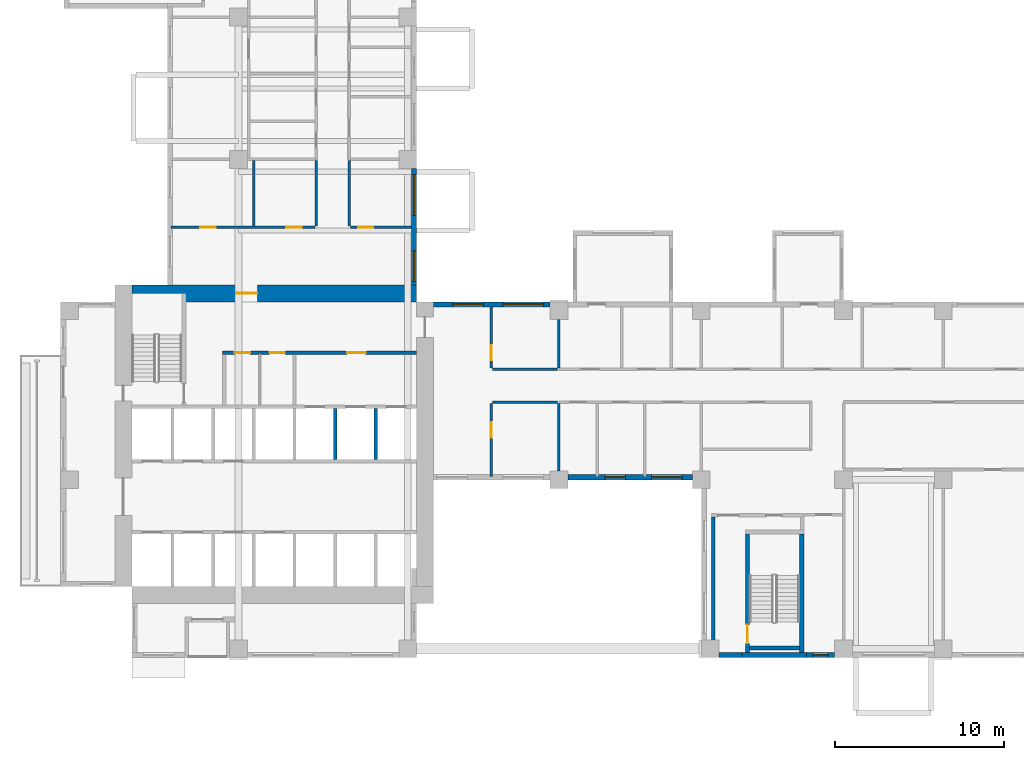
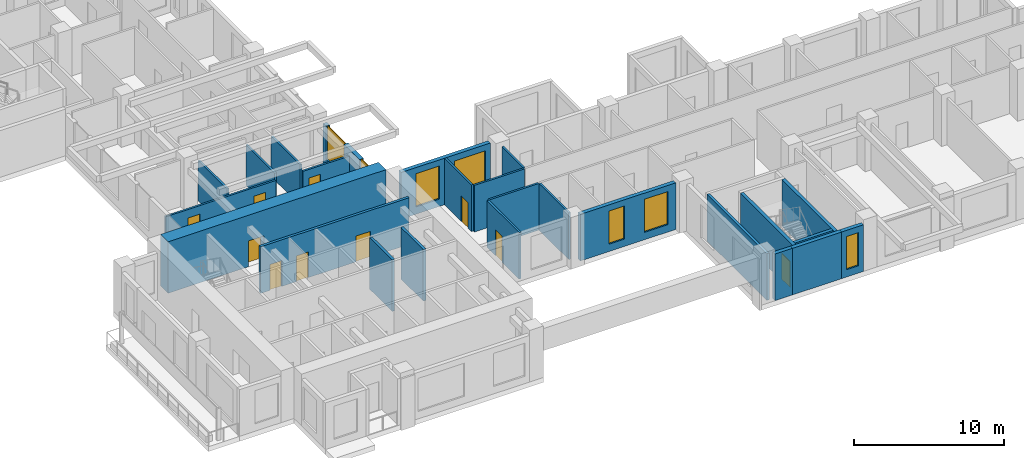
# One storey, part 3 of 14: 25 walls, 10 doors, 7 windows, 17 openings.
"""IFC4 building model written with IfcOpenShell, lengths in metres."""

import ifcopenshell
import ifcopenshell.guid

model = None  # the IFC model being written
_history = None  # IfcOwnerHistory: only IFC2X3 demands one
_inside = {}  # id of a spatial element -> (the spatial element, [elements in it])
_under = {}  # id of a project, library or spatial element -> (it, [spatial elements below it])
_declared = {}  # id of a project -> (the project, [libraries it declares])
_typed = {}  # id of a type object -> (the type object, [elements of that type])
_made_of = {}  # id of a material, layer set ... -> (it, [elements and type objects made of it])


def new_model(schema):
    """Start an empty IFC model of exactly this schema.

    Asked for "IFC4X3", IfcOpenShell would pick the latest addendum, in which some entities
    have other attributes; the version numbers below select the first issue.
    IFC2X3 requires an IfcOwnerHistory on every rooted entity: one is made here for all.
    """
    global model, _history
    if schema == "IFC4X3":
        model = ifcopenshell.file(schema_version=(4, 3, 0, 0))
    else:
        model = ifcopenshell.file(schema=schema)
    _inside.clear()
    _under.clear()
    _declared.clear()
    _typed.clear()
    _made_of.clear()
    _history = None
    if model.schema == "IFC2X3":
        org = make("IfcOrganization", Name="unknown")
        user = make(
            "IfcPersonAndOrganization",
            ThePerson=make("IfcPerson", FamilyName="unknown"),
            TheOrganization=org,
        )
        app = make(
            "IfcApplication",
            ApplicationDeveloper=org,
            Version="unknown",
            ApplicationFullName="unknown",
            ApplicationIdentifier="unknown",
        )
        _history = make(
            "IfcOwnerHistory",
            OwningUser=user,
            OwningApplication=app,
            ChangeAction="ADDED",
            CreationDate=0,
        )
    return model


def make(cls, **values):
    """One entity of the class cls with the attributes given. An attribute that is None is left unset."""
    return model.create_entity(
        cls, **{name: value for name, value in values.items() if value is not None}
    )


def rooted(cls, **values):
    """An entity with a GlobalId (a new one), such as an element, a storey or a relation."""
    return make(cls, GlobalId=ifcopenshell.guid.new(), OwnerHistory=_history, **values)


def si_unit(unit_type, name, prefix=None):
    """IfcSIUnit, for example si_unit("LENGTHUNIT", "METRE", prefix="MILLI")."""
    return make("IfcSIUnit", UnitType=unit_type, Prefix=prefix, Name=name)


def assignment(units):
    """IfcUnitAssignment: the units of a project."""
    return None if units is None else make("IfcUnitAssignment", Units=units)


def point(xyz):
    """IfcCartesianPoint."""
    return None if xyz is None else make("IfcCartesianPoint", Coordinates=xyz)


def direction(xyz):
    """IfcDirection."""
    return None if xyz is None else make("IfcDirection", DirectionRatios=xyz)


def frame(location, z_axis=None, x_axis=None):
    """IfcAxis2Placement3D, a coordinate frame: its origin and axes. An axis left out is left unset."""
    return make(
        "IfcAxis2Placement3D",
        Location=point(location),
        Axis=direction(z_axis),
        RefDirection=direction(x_axis),
    )


def frame_2d(location, x_axis=None):
    """IfcAxis2Placement2D, a coordinate frame in the plane: its origin and x axis."""
    return make(
        "IfcAxis2Placement2D", Location=point(location), RefDirection=direction(x_axis)
    )


def origin():
    """The frame at (0, 0, 0) with its axes left unset."""
    return frame((0.0, 0.0, 0.0))


def place(relative_to, where):
    """IfcLocalPlacement: puts the frame where relative to a parent placement (None: the world)."""
    return make(
        "IfcLocalPlacement", PlacementRelTo=relative_to, RelativePlacement=where
    )


def context(
    kind, dimensions, precision=None, world=None, true_north=None, identifier=None
):
    """IfcGeometricRepresentationContext, for example the 3D "Model" context."""
    return make(
        "IfcGeometricRepresentationContext",
        ContextIdentifier=identifier,
        ContextType=kind,
        CoordinateSpaceDimension=dimensions,
        Precision=precision,
        WorldCoordinateSystem=world,
        TrueNorth=true_north,
    )


def subcontext(parent, identifier, kind, view, scale=None):
    """IfcGeometricRepresentationSubContext, for example "Body" below "Model"."""
    return make(
        "IfcGeometricRepresentationSubContext",
        ContextIdentifier=identifier,
        ContextType=kind,
        ParentContext=parent,
        TargetScale=scale,
        TargetView=view,
    )


def project(units=None, contexts=None):
    """IfcProject with its units and contexts."""
    return rooted(
        "IfcProject",
        Name="project",
        RepresentationContexts=contexts,
        UnitsInContext=assignment(units),
    )


def spatial(cls, under=None, at=None, **own):
    """A site, building, storey or space (cls), placed at a placement, below another one or the project."""
    s = rooted(cls, ObjectPlacement=at, **own)
    if under is not None:
        _under.setdefault(under.id(), (under, []))[1].append(s)
    return s


def profile(cls, at=None, kind="AREA", **sizes):
    """A parametric profile (cls). Its sizes go by their IFC names, for example OverallWidth=200.0."""
    return make(cls, ProfileType=kind, Position=at, **sizes)


def rectangle(**sizes):
    """IfcRectangleProfileDef."""
    return profile("IfcRectangleProfileDef", **sizes)


def extrude(swept, where, along, depth):
    """IfcExtrudedAreaSolid: the profile swept, set in the frame where, extruded along a direction by depth."""
    return make(
        "IfcExtrudedAreaSolid",
        SweptArea=swept,
        Position=where,
        ExtrudedDirection=direction(along),
        Depth=depth,
    )


def shape(context_of_items, identifier, shape_type, items):
    """IfcShapeRepresentation: the items that make up one representation, for example the "Body"."""
    return make(
        "IfcShapeRepresentation",
        ContextOfItems=context_of_items,
        RepresentationIdentifier=identifier,
        RepresentationType=shape_type,
        Items=items,
    )


def source(mapping_origin, context_of_items, identifier, shape_type, items):
    """IfcRepresentationMap: a shape defined once, which mapped items show again and again."""
    return make(
        "IfcRepresentationMap",
        MappingOrigin=mapping_origin,
        MappedRepresentation=shape(context_of_items, identifier, shape_type, items),
    )


def transform(
    local_origin,
    x_axis=None,
    y_axis=None,
    z_axis=None,
    scale=None,
    scale2=None,
    scale3=None,
    uniform=True,
):
    """IfcCartesianTransformationOperator3D, or its non-uniform kind. x_axis, y_axis, z_axis: its Axis1, 2, 3."""
    if uniform:
        return make(
            "IfcCartesianTransformationOperator3D",
            Axis1=direction(x_axis),
            Axis2=direction(y_axis),
            LocalOrigin=point(local_origin),
            Scale=scale,
            Axis3=direction(z_axis),
        )
    return make(
        "IfcCartesianTransformationOperator3DnonUniform",
        Axis1=direction(x_axis),
        Axis2=direction(y_axis),
        LocalOrigin=point(local_origin),
        Scale=scale,
        Axis3=direction(z_axis),
        Scale2=scale2,
        Scale3=scale3,
    )


def mapped(mapping_source, mapping_target):
    """IfcMappedItem: shows the shape of a source again, moved by a transform."""
    return make(
        "IfcMappedItem", MappingSource=mapping_source, MappingTarget=mapping_target
    )


def material(Name=None, Category=None):
    """IfcMaterial."""
    return make("IfcMaterial", Name=Name, Category=Category)


def layer(
    of_material, thickness, ventilated=None, Name=None, Category=None, Priority=None
):
    """IfcMaterialLayer: one layer of a wall or slab, of a material (None: an air gap)."""
    return make(
        "IfcMaterialLayer",
        Material=of_material,
        LayerThickness=thickness,
        IsVentilated=ventilated,
        Name=Name,
        Category=Category,
        Priority=Priority,
    )


def layer_set(layers, Name=None):
    """IfcMaterialLayerSet."""
    return make("IfcMaterialLayerSet", MaterialLayers=layers, LayerSetName=Name)


def made_of(thing, what):
    """Note that an element or type object is made of a material, layer set ...; save() writes the relation."""
    if what is not None:
        _made_of.setdefault(what.id(), (what, []))[1].append(thing)
    return thing


def type_object(cls, material=None, **own):
    """A type object (cls), such as IfcWallType, which elements share."""
    return made_of(rooted(cls, **own), material)


def element(
    cls,
    number,
    at=None,
    inside=None,
    cuts=None,
    type_object=None,
    material=None,
    context=None,
    identifier="Body",
    shape_type=None,
    held_by="IfcProductDefinitionShape",
    body=None,
    shapes=None,
    **own,
):
    """One element of the class cls, such as IfcWall. Its Tag is "e" and its number.

    at: its placement. inside: the storey or other place that contains it. cuts: it is an
    opening in that element (IfcRelVoidsElement). A single representation is given by context,
    identifier, shape_type and body (its items); several are given by shapes. held_by: the class
    of the entity that holds the representations. save() writes the other relations.
    """
    e = rooted(cls, Tag="e%d" % number, ObjectPlacement=at, **own)
    if body is not None:
        shapes = [shape(context, identifier, shape_type, body)]
    if shapes is not None:
        e.Representation = make(held_by, Representations=shapes)
    if inside is not None:
        _inside.setdefault(inside.id(), (inside, []))[1].append(e)
    if cuts is not None:
        rooted(
            "IfcRelVoidsElement", RelatingBuildingElement=cuts, RelatedOpeningElement=e
        )
    if type_object is not None:
        _typed.setdefault(type_object.id(), (type_object, []))[1].append(e)
    return made_of(e, material)


def fill(opening, filler):
    """IfcRelFillsElement: the door or window that sits in an opening."""
    return rooted(
        "IfcRelFillsElement",
        RelatingOpeningElement=opening,
        RelatedBuildingElement=filler,
    )


def aggregate(whole, parts):
    """IfcRelAggregates: a whole, such as a stair, and the parts it consists of."""
    return rooted("IfcRelAggregates", RelatingObject=whole, RelatedObjects=parts)


def save(model, path):
    """Write the relations noted so far, then the file.

    IfcRelAggregates (storeys below a building ...), IfcRelContainedInSpatialStructure (elements
    in a storey), IfcRelDefinesByType, IfcRelAssociatesMaterial and IfcRelDeclares: one each for
    every whole, place, type object, material and project.
    """
    for whole, parts in _under.values():
        aggregate(whole, parts)
    for where, things in _inside.values():
        rooted(
            "IfcRelContainedInSpatialStructure",
            RelatedElements=things,
            RelatingStructure=where,
        )
    for kind, things in _typed.values():
        rooted("IfcRelDefinesByType", RelatedObjects=things, RelatingType=kind)
    for what, things in _made_of.values():
        rooted("IfcRelAssociatesMaterial", RelatedObjects=things, RelatingMaterial=what)
    for by, libraries in _declared.values():
        rooted("IfcRelDeclares", RelatingContext=by, RelatedDefinitions=libraries)
    model.write(path)


model = new_model("IFC4")

# Units and contexts
model_context = context("Model", 3, precision=1e-05, world=origin(), true_north=direction((0.0, 1.0)))
body_context = subcontext(model_context, "Body", "Model", "MODEL_VIEW")
ifc_project = project(units=[si_unit("LENGTHUNIT", "METRE"), si_unit("AREAUNIT", "SQUARE_METRE"), si_unit("VOLUMEUNIT", "CUBIC_METRE"), si_unit("PLANEANGLEUNIT", "RADIAN"), si_unit("MASSUNIT", "GRAM", prefix="KILO")], contexts=[model_context])

# Site, building, storey
site_placement = place(None, origin())
site = spatial("IfcSite", under=ifc_project, at=site_placement, CompositionType="ELEMENT")
building_placement = place(site_placement, origin())
building = spatial("IfcBuilding", under=site, at=building_placement, Name="Aurelian Terraces", CompositionType="ELEMENT")
storey_placement = place(building_placement, frame((0.0, 0.0, 103.5)))
storey = spatial("IfcBuildingStorey", under=building, at=storey_placement, Name="L22", CompositionType="ELEMENT", Elevation=103.5)

# Wall
ifc_material_1 = material(Name="Terracotta rainscreen cladding", Category="masonry")
ifc_layer_1 = layer(ifc_material_1, 0.3)
ifc_layer_set_1 = layer_set([ifc_layer_1], Name="EW-300")
wall_type_1 = type_object("IfcWallType", Name="EW-300", PredefinedType="STANDARD", material=ifc_layer_set_1)
wall_1_placement = place(storey_placement, frame((38.85, 0.15, 0.0), z_axis=(0.0, 0.0, 1.0), x_axis=(1.0, 0.0, 0.0)))
element("IfcWall", 1, at=wall_1_placement, inside=storey, type_object=wall_type_1, Name="External wall L22 F05.9", PredefinedType="STANDARD", context=body_context, shape_type="SweptSolid", body=[
    extrude(rectangle(XDim=1.35, YDim=0.3, at=frame_2d((0.675, 0.0))), origin(), (0.0, 0.0, 1.0), 3.8),
])

# Wall, opening, window
wall_2_placement = place(storey_placement, frame((44.0, 0.15, 0.0), z_axis=(0.0, 0.0, 1.0), x_axis=(1.0, 0.0, 0.0)))
wall_2 = element("IfcWall", 2, at=wall_2_placement, inside=storey, type_object=wall_type_1, Name="External wall L22 F05.9", PredefinedType="STANDARD", context=body_context, shape_type="SweptSolid", body=[
    extrude(rectangle(XDim=1.675, YDim=0.3, at=frame_2d((0.8375, 0.0))), origin(), (0.0, 0.0, 1.0), 3.8),
])
shared_shape_1 = source(origin(), body_context, "Body", "SweptSolid", [
    extrude(rectangle(XDim=0.9, YDim=2.7, at=frame_2d((0.45, 1.35))), frame((0.0, 0.16, 0.0), z_axis=(0.0, -1.0, 0.0), x_axis=(1.0, 0.0, 0.0)), (0.0, 0.0, 1.0), 0.32),
])
opening_1_placement = place(wall_2_placement, frame((0.3875, 0.0, 0.6)))
opening_1 = element("IfcOpeningElement", 3, at=opening_1_placement, cuts=wall_2, Name="Opening W0927", PredefinedType="OPENING", context=body_context, shape_type="MappedRepresentation", body=[
    mapped(shared_shape_1, transform((0.0, 0.0, 0.0), scale=1.0)),
])
ifc_material_2 = material(Name="Clear glazing", Category="glass")
window_type_1 = type_object("IfcWindowType", Name="W-900x2700", PartitioningType="SINGLE_PANEL", PredefinedType="WINDOW", material=ifc_material_2)
shared_shape_2 = source(origin(), body_context, "Body", "SweptSolid", [
    extrude(rectangle(XDim=0.9, YDim=2.7, at=frame_2d((0.45, 1.35))), frame((0.0, 0.03, 0.0), z_axis=(0.0, -1.0, 0.0), x_axis=(1.0, 0.0, 0.0)), (0.0, 0.0, 1.0), 0.06),
])
window_1_placement = place(opening_1_placement, origin())
window_1 = element("IfcWindow", 4, at=window_1_placement, inside=storey, type_object=window_type_1, Name="Window L22 L22-F05-09-P2", OverallHeight=2.7, OverallWidth=0.9, PartitioningType="SINGLE_PANEL", PredefinedType="WINDOW", context=body_context, shape_type="MappedRepresentation", body=[
    mapped(shared_shape_2, transform((0.0, 0.0, 0.0), scale=1.0)),
])
fill(opening_1, window_1)

# Wall, openings, windows
wall_3_placement = place(storey_placement, frame((20.85, 22.0, 0.0), z_axis=(0.0, 0.0, 1.0), x_axis=(0.0, 1.0, 0.0)))
wall_3 = element("IfcWall", 5, at=wall_3_placement, inside=storey, type_object=wall_type_1, Name="External wall L22 F12.24", PredefinedType="STANDARD", context=body_context, shape_type="SweptSolid", body=[
    extrude(rectangle(XDim=6.875, YDim=0.3, at=frame_2d((3.4375, 0.0))), origin(), (0.0, 0.0, 1.0), 3.3),
])
shared_shape_3 = source(origin(), body_context, "Body", "SweptSolid", [
    extrude(rectangle(XDim=1.8, YDim=2.7, at=frame_2d((0.9, 1.35))), frame((0.0, 0.16, 0.0), z_axis=(0.0, -1.0, 0.0), x_axis=(1.0, 0.0, 0.0)), (0.0, 0.0, 1.0), 0.32),
])
opening_2_placement = place(wall_3_placement, frame((0.2, 0.0, 0.6)))
opening_2 = element("IfcOpeningElement", 6, at=opening_2_placement, cuts=wall_3, Name="Opening W1827", PredefinedType="OPENING", context=body_context, shape_type="MappedRepresentation", body=[
    mapped(shared_shape_3, transform((0.0, 0.0, 0.0), scale=1.0)),
])
shared_shape_4 = source(origin(), body_context, "Body", "SweptSolid", [
    extrude(rectangle(XDim=2.4, YDim=2.7, at=frame_2d((1.2, 1.35))), frame((0.0, 0.16, 0.0), z_axis=(0.0, -1.0, 0.0), x_axis=(1.0, 0.0, 0.0)), (0.0, 0.0, 1.0), 0.32),
])
opening_3_placement = place(wall_3_placement, frame((4.1, 0.0, 0.6)))
opening_3 = element("IfcOpeningElement", 7, at=opening_3_placement, cuts=wall_3, Name="Opening W2427", PredefinedType="OPENING", context=body_context, shape_type="MappedRepresentation", body=[
    mapped(shared_shape_4, transform((0.0, 0.0, 0.0), scale=1.0)),
])
window_type_2 = type_object("IfcWindowType", Name="W-2400x2700", PartitioningType="SINGLE_PANEL", PredefinedType="WINDOW", material=ifc_material_2)
shared_shape_5 = source(origin(), body_context, "Body", "SweptSolid", [
    extrude(rectangle(XDim=2.4, YDim=2.7, at=frame_2d((1.2, 1.35))), frame((0.0, 0.03, 0.0), z_axis=(0.0, -1.0, 0.0), x_axis=(1.0, 0.0, 0.0)), (0.0, 0.0, 1.0), 0.06),
])
window_2_placement = place(opening_3_placement, origin())
window_2 = element("IfcWindow", 8, at=window_2_placement, inside=storey, type_object=window_type_2, Name="Window L22 L22-F12-24-1", OverallHeight=2.7, OverallWidth=2.4, PartitioningType="SINGLE_PANEL", PredefinedType="WINDOW", context=body_context, shape_type="MappedRepresentation", body=[
    mapped(shared_shape_5, transform((0.0, 0.0, 0.0), scale=1.0)),
])
fill(opening_3, window_2)
window_type_3 = type_object("IfcWindowType", Name="W-1800x2700", PartitioningType="SINGLE_PANEL", PredefinedType="WINDOW", material=ifc_material_2)
shared_shape_6 = source(origin(), body_context, "Body", "SweptSolid", [
    extrude(rectangle(XDim=1.8, YDim=2.7, at=frame_2d((0.9, 1.35))), frame((0.0, 0.03, 0.0), z_axis=(0.0, -1.0, 0.0), x_axis=(1.0, 0.0, 0.0)), (0.0, 0.0, 1.0), 0.06),
])
window_3_placement = place(opening_2_placement, origin())
window_3 = element("IfcWindow", 9, at=window_3_placement, inside=storey, type_object=window_type_3, Name="Window L22 L22-F12-24-0", OverallHeight=2.7, OverallWidth=1.8, PartitioningType="SINGLE_PANEL", PredefinedType="WINDOW", context=body_context, shape_type="MappedRepresentation", body=[
    mapped(shared_shape_6, transform((0.0, 0.0, 0.0), scale=1.0)),
])
fill(opening_2, window_3)

# Walls
ifc_material_3 = material(Name="Gypsum board on steel studs", Category="steel")
ifc_layer_2 = layer(ifc_material_3, 0.15)
ifc_layer_set_2 = layer_set([ifc_layer_2], Name="Fire partition 150")
wall_type_2 = type_object("IfcWallType", Name="Fire partition 150", PredefinedType="PARTITIONING", material=ifc_layer_set_2)
wall_4_placement = place(storey_placement, frame((29.325, 15.075, 0.0), z_axis=(0.0, 0.0, 1.0), x_axis=(-1.0, 0.0, 0.0)))
element("IfcWall", 10, at=wall_4_placement, inside=storey, type_object=wall_type_2, Name="Corridor wall", PredefinedType="PARTITIONING", context=body_context, shape_type="SweptSolid", body=[
    extrude(rectangle(XDim=3.85, YDim=0.15, at=frame_2d((1.925, 0.0))), origin(), (0.0, 0.0, 1.0), 3.8),
])
ifc_layer_3 = layer(ifc_material_3, 0.15)
ifc_layer_set_3 = layer_set([ifc_layer_3], Name="Partition 150")
wall_type_3 = type_object("IfcWallType", Name="Partition 150", PredefinedType="PARTITIONING", material=ifc_layer_set_3)
wall_5_placement = place(storey_placement, frame((29.4, 11.024, 0.0), z_axis=(0.0, 0.0, 1.0), x_axis=(0.0, 1.0, 0.0)))
element("IfcWall", 11, at=wall_5_placement, inside=storey, type_object=wall_type_3, Name="Partition", PredefinedType="PARTITIONING", context=body_context, shape_type="SweptSolid", body=[
    extrude(rectangle(XDim=3.976, YDim=0.15, at=frame_2d((1.988, 0.0))), origin(), (0.0, 0.0, 1.0), 3.8),
])
wall_6_placement = place(storey_placement, frame((29.4, 17.1, 0.0), z_axis=(0.0, 0.0, 1.0), x_axis=(0.0, 1.0, 0.0)))
element("IfcWall", 12, at=wall_6_placement, inside=storey, type_object=wall_type_3, Name="Partition", PredefinedType="PARTITIONING", context=body_context, shape_type="SweptSolid", body=[
    extrude(rectangle(XDim=2.851, YDim=0.15, at=frame_2d((1.4255, 0.0))), origin(), (0.0, 0.0, 1.0), 3.8),
])

# Wall, openings, doors
wall_7_placement = place(storey_placement, frame((6.505, 25.4, 0.0), z_axis=(0.0, 0.0, 1.0), x_axis=(1.0, 0.0, 0.0)))
wall_7 = element("IfcWall", 13, at=wall_7_placement, inside=storey, type_object=wall_type_3, Name="Partition", PredefinedType="PARTITIONING", context=body_context, shape_type="SweptSolid", body=[
    extrude(rectangle(XDim=8.495, YDim=0.15, at=frame_2d((4.2475, 0.0))), origin(), (0.0, 0.0, 1.0), 2.8),
])
shared_shape_7 = source(origin(), body_context, "Body", "SweptSolid", [
    extrude(rectangle(XDim=0.9, YDim=2.1, at=frame_2d((0.45, 1.05))), frame((0.0, 0.085, 0.0), z_axis=(0.0, -1.0, 0.0), x_axis=(1.0, 0.0, 0.0)), (0.0, 0.0, 1.0), 0.17),
])
opening_4_placement = place(wall_7_placement, frame((1.745, 0.0, 0.0)))
opening_4 = element("IfcOpeningElement", 14, at=opening_4_placement, cuts=wall_7, Name="Opening 722024", PredefinedType="OPENING", context=body_context, shape_type="MappedRepresentation", body=[
    mapped(shared_shape_7, transform((0.0, 0.0, 0.0), scale=1.0)),
])
opening_5_placement = place(wall_7_placement, frame((6.82, 0.0, 0.0)))
opening_5 = element("IfcOpeningElement", 15, at=opening_5_placement, cuts=wall_7, Name="Opening 722025", PredefinedType="OPENING", context=body_context, shape_type="MappedRepresentation", body=[
    mapped(shared_shape_7, transform((0.0, 0.0, 0.0), scale=1.0)),
])
ifc_material_4 = material(Name="Timber door leaf", Category="wood")
door_type_1 = type_object("IfcDoorType", Name="Room door 900x2100 left", OperationType="SINGLE_SWING_LEFT", PredefinedType="DOOR", material=ifc_material_4)
shared_shape_8 = source(origin(), body_context, "Body", "SweptSolid", [
    extrude(rectangle(XDim=0.9, YDim=2.1, at=frame_2d((0.45, 1.05))), frame((0.0, 0.025, 0.0), z_axis=(0.0, -1.0, 0.0), x_axis=(1.0, 0.0, 0.0)), (0.0, 0.0, 1.0), 0.05),
])
door_1_placement = place(opening_4_placement, origin())
door_1 = element("IfcDoor", 16, at=door_1_placement, inside=storey, type_object=door_type_1, Name="Door 722024", OperationType="SINGLE_SWING_LEFT", OverallHeight=2.1, OverallWidth=0.9, PredefinedType="DOOR", context=body_context, shape_type="MappedRepresentation", body=[
    mapped(shared_shape_8, transform((0.0, 0.0, 0.0), scale=1.0)),
])
fill(opening_4, door_1)
door_type_2 = type_object("IfcDoorType", Name="Room door 900x2100 right", OperationType="SINGLE_SWING_RIGHT", PredefinedType="DOOR", material=ifc_material_4)
door_2_placement = place(opening_5_placement, origin())
door_2 = element("IfcDoor", 17, at=door_2_placement, inside=storey, type_object=door_type_2, Name="Door 722025", OperationType="SINGLE_SWING_RIGHT", OverallHeight=2.1, OverallWidth=0.9, PredefinedType="DOOR", context=body_context, shape_type="MappedRepresentation", body=[
    mapped(shared_shape_8, transform((0.0, 0.0, 0.0), scale=1.0)),
])
fill(opening_5, door_2)

# Wall
wall_8_placement = place(storey_placement, frame((11.4, 25.475, 0.0), z_axis=(0.0, 0.0, 1.0), x_axis=(0.0, 1.0, 0.0)))
element("IfcWall", 18, at=wall_8_placement, inside=storey, type_object=wall_type_3, Name="Partition", PredefinedType="PARTITIONING", context=body_context, shape_type="SweptSolid", body=[
    extrude(rectangle(XDim=3.85, YDim=0.15, at=frame_2d((1.925, 0.0))), origin(), (0.0, 0.0, 1.0), 3.3),
])

# Wall, opening, door
ifc_material_5 = material(Name="Concrete fc' 83 MPa", Category="concrete")
ifc_layer_4 = layer(ifc_material_5, 1.0)
ifc_layer_set_4 = layer_set([ifc_layer_4], Name="CORE WALL 1000 FC83")
wall_type_4 = type_object("IfcWallType", Name="CORE WALL 1000 FC83", PredefinedType="SHEAR", material=ifc_layer_set_4)
shared_shape_9 = source(origin(), body_context, "Body", "SweptSolid", [
    extrude(rectangle(XDim=16.8, YDim=1.0, at=frame_2d((8.4, 0.0))), origin(), (0.0, 0.0, 1.0), 4.2),
])
wall_9_placement = place(storey_placement, frame((4.2, 21.5, 0.0), z_axis=(0.0, 0.0, 1.0), x_axis=(1.0, 0.0, 0.0)))
wall_9 = element("IfcWall", 19, at=wall_9_placement, inside=storey, type_object=wall_type_4, Name="Core wall N L22", PredefinedType="SHEAR", context=body_context, shape_type="MappedRepresentation", body=[
    mapped(shared_shape_9, transform((0.0, 0.0, 0.0), scale=1.0)),
])
opening_6_placement = place(wall_9_placement, frame((6.2, 0.0, 0.0)))
opening_6 = element("IfcOpeningElement", 20, at=opening_6_placement, cuts=wall_9, Name="Opening 62521", PredefinedType="OPENING", context=body_context, shape_type="SweptSolid", body=[
    extrude(rectangle(XDim=1.2, YDim=2.1, at=frame_2d((0.6, 1.05))), frame((0.0, 0.51, 0.0), z_axis=(0.0, -1.0, 0.0), x_axis=(1.0, 0.0, 0.0)), (0.0, 0.0, 1.0), 1.02),
])
ifc_material_6 = material(Name="Steel door leaf", Category="steel")
door_type_3 = type_object("IfcDoorType", Name="Core fire door 1200x2100", OperationType="SINGLE_SWING_LEFT", PredefinedType="DOOR", material=ifc_material_6)
shared_shape_10 = source(origin(), body_context, "Body", "SweptSolid", [
    extrude(rectangle(XDim=1.2, YDim=2.1, at=frame_2d((0.6, 1.05))), frame((0.0, 0.025, 0.0), z_axis=(0.0, -1.0, 0.0), x_axis=(1.0, 0.0, 0.0)), (0.0, 0.0, 1.0), 0.05),
])
door_3_placement = place(opening_6_placement, origin())
door_3 = element("IfcDoor", 21, at=door_3_placement, inside=storey, type_object=door_type_3, Name="Core door 62521", OperationType="SINGLE_SWING_LEFT", OverallHeight=2.1, OverallWidth=1.2, PredefinedType="DOOR", context=body_context, shape_type="MappedRepresentation", body=[
    mapped(shared_shape_10, transform((0.0, 0.0, 0.0), scale=1.0)),
])
fill(opening_6, door_3)

# Wall
ifc_material_7 = material(Name="Concrete fc' 40 MPa", Category="concrete")
ifc_layer_5 = layer(ifc_material_7, 0.3)
ifc_layer_set_5 = layer_set([ifc_layer_5], Name="STAIR BAY WALL 300")
wall_type_5 = type_object("IfcWallType", Name="STAIR BAY WALL 300", PredefinedType="SOLIDWALL", material=ifc_layer_set_5)
shared_shape_11 = source(origin(), body_context, "Body", "SweptSolid", [
    extrude(rectangle(XDim=3.8, YDim=0.3, at=frame_2d((1.9, 0.0))), origin(), (0.0, 0.0, 1.0), 3.8),
])
wall_10_placement = place(storey_placement, frame((40.2, 0.15, 0.0), z_axis=(0.0, 0.0, 1.0), x_axis=(1.0, 0.0, 0.0)))
element("IfcWall", 22, at=wall_10_placement, inside=storey, type_object=wall_type_5, Name="Stair bay wall L22 F05.9", PredefinedType="SOLIDWALL", context=body_context, shape_type="MappedRepresentation", body=[
    mapped(shared_shape_11, transform((0.0, 0.0, 0.0), scale=1.0)),
])

# Wall, openings, windows
shared_shape_12 = source(origin(), body_context, "Body", "SweptSolid", [
    extrude(rectangle(XDim=7.35, YDim=0.3, at=frame_2d((3.675, 0.0))), origin(), (0.0, 0.0, 1.0), 3.8),
])
wall_11_placement = place(storey_placement, frame((29.925, 10.65, 0.0), z_axis=(0.0, 0.0, 1.0), x_axis=(1.0, 0.0, 0.0)))
wall_11 = element("IfcWall", 23, at=wall_11_placement, inside=storey, type_object=wall_type_1, Name="External wall L22 F03.7", PredefinedType="STANDARD", context=body_context, shape_type="MappedRepresentation", body=[
    mapped(shared_shape_12, transform((0.0, 0.0, 0.0), scale=1.0)),
])
opening_7_placement = place(wall_11_placement, frame((4.948, 0.0, 0.6)))
opening_7 = element("IfcOpeningElement", 24, at=opening_7_placement, cuts=wall_11, Name="Opening W1827", PredefinedType="OPENING", context=body_context, shape_type="MappedRepresentation", body=[
    mapped(shared_shape_3, transform((0.0, 0.0, 0.0), scale=1.0)),
])
shared_shape_13 = source(origin(), body_context, "Body", "SweptSolid", [
    extrude(rectangle(XDim=1.2, YDim=2.7, at=frame_2d((0.6, 1.35))), frame((0.0, 0.16, 0.0), z_axis=(0.0, -1.0, 0.0), x_axis=(1.0, 0.0, 0.0)), (0.0, 0.0, 1.0), 0.32),
])
opening_8_placement = place(wall_11_placement, frame((2.1945, 0.0, 0.6)))
opening_8 = element("IfcOpeningElement", 25, at=opening_8_placement, cuts=wall_11, Name="Opening W1227", PredefinedType="OPENING", context=body_context, shape_type="MappedRepresentation", body=[
    mapped(shared_shape_13, transform((0.0, 0.0, 0.0), scale=1.0)),
])
window_4_placement = place(opening_7_placement, origin())
window_4 = element("IfcWindow", 26, at=window_4_placement, inside=storey, type_object=window_type_3, Name="Window L22 L22-F03-07-1", OverallHeight=2.7, OverallWidth=1.8, PartitioningType="SINGLE_PANEL", PredefinedType="WINDOW", context=body_context, shape_type="MappedRepresentation", body=[
    mapped(shared_shape_6, transform((0.0, 0.0, 0.0), scale=1.0)),
])
fill(opening_7, window_4)
window_type_4 = type_object("IfcWindowType", Name="W-1200x2700", PartitioningType="SINGLE_PANEL", PredefinedType="WINDOW", material=ifc_material_2)
shared_shape_14 = source(origin(), body_context, "Body", "SweptSolid", [
    extrude(rectangle(XDim=1.2, YDim=2.7, at=frame_2d((0.6, 1.35))), frame((0.0, 0.03, 0.0), z_axis=(0.0, -1.0, 0.0), x_axis=(1.0, 0.0, 0.0)), (0.0, 0.0, 1.0), 0.06),
])
window_5_placement = place(opening_8_placement, origin())
window_5 = element("IfcWindow", 27, at=window_5_placement, inside=storey, type_object=window_type_4, Name="Window L22 L22-F03-07-G0-5", OverallHeight=2.7, OverallWidth=1.2, PartitioningType="SINGLE_PANEL", PredefinedType="WINDOW", context=body_context, shape_type="MappedRepresentation", body=[
    mapped(shared_shape_14, transform((0.0, 0.0, 0.0), scale=1.0)),
])
fill(opening_8, window_5)

shared_shape_15 = source(origin(), body_context, "Body", "SweptSolid", [
    extrude(rectangle(XDim=6.875, YDim=0.3, at=frame_2d((3.4375, 0.0))), origin(), (0.0, 0.0, 1.0), 3.8),
])
wall_12_placement = place(storey_placement, frame((28.875, 20.85, 0.0), z_axis=(0.0, 0.0, 1.0), x_axis=(-1.0, 0.0, 0.0)))
wall_12 = element("IfcWall", 28, at=wall_12_placement, inside=storey, type_object=wall_type_1, Name="External wall L22 F11.23", PredefinedType="STANDARD", context=body_context, shape_type="MappedRepresentation", body=[
    mapped(shared_shape_15, transform((0.0, 0.0, 0.0), scale=1.0)),
])
opening_9_placement = place(wall_12_placement, frame((0.375, 0.0, 0.6)))
opening_9 = element("IfcOpeningElement", 29, at=opening_9_placement, cuts=wall_12, Name="Opening W2427", PredefinedType="OPENING", context=body_context, shape_type="MappedRepresentation", body=[
    mapped(shared_shape_4, transform((0.0, 0.0, 0.0), scale=1.0)),
])
opening_10_placement = place(wall_12_placement, frame((3.9375, 0.0, 0.6)))
opening_10 = element("IfcOpeningElement", 30, at=opening_10_placement, cuts=wall_12, Name="Opening W1827", PredefinedType="OPENING", context=body_context, shape_type="MappedRepresentation", body=[
    mapped(shared_shape_3, transform((0.0, 0.0, 0.0), scale=1.0)),
])
window_6_placement = place(opening_9_placement, origin())
window_6 = element("IfcWindow", 31, at=window_6_placement, inside=storey, type_object=window_type_2, Name="Window L22 L22-F11-23-3", OverallHeight=2.7, OverallWidth=2.4, PartitioningType="SINGLE_PANEL", PredefinedType="WINDOW", context=body_context, shape_type="MappedRepresentation", body=[
    mapped(shared_shape_5, transform((0.0, 0.0, 0.0), scale=1.0)),
])
fill(opening_9, window_6)
window_7_placement = place(opening_10_placement, origin())
window_7 = element("IfcWindow", 32, at=window_7_placement, inside=storey, type_object=window_type_3, Name="Window L22 L22-F11-23-G2-201", OverallHeight=2.7, OverallWidth=1.8, PartitioningType="SINGLE_PANEL", PredefinedType="WINDOW", context=body_context, shape_type="MappedRepresentation", body=[
    mapped(shared_shape_6, transform((0.0, 0.0, 0.0), scale=1.0)),
])
fill(opening_10, window_7)

# Walls
ifc_layer_6 = layer(ifc_material_7, 0.2)
ifc_layer_set_6 = layer_set([ifc_layer_6], Name="Lift shaft wall 200")
wall_type_6 = type_object("IfcWallType", Name="Lift shaft wall 200", PredefinedType="SOLIDWALL", material=ifc_layer_set_6)
shared_shape_16 = source(origin(), body_context, "Body", "SweptSolid", [
    extrude(rectangle(XDim=3.0, YDim=0.2, at=frame_2d((1.5, 0.0))), origin(), (0.0, 0.0, 1.0), 4.2),
])
for number, where, z_axis, x_axis, name in (
    (33, (16.2, 11.7, 0.0), (0.0, 0.0, 1.0), (0.0, 1.0, 0.0), "L22 core wall CD-B5"),
    (34, (18.6, 11.7, 0.0), (0.0, 0.0, 1.0), (0.0, 1.0, 0.0), "L22 core wall CD-B6"),
):
    element("IfcWall", number, at=place(storey_placement, frame(where, z_axis=z_axis, x_axis=x_axis)), inside=storey, type_object=wall_type_6, Name=name, PredefinedType="SOLIDWALL", context=body_context, shape_type="MappedRepresentation", body=[
        mapped(shared_shape_16, transform((0.0, 0.0, 0.0), scale=1.0)),
    ])

# Wall, opening, door
ifc_layer_7 = layer(ifc_material_7, 0.25)
ifc_layer_set_7 = layer_set([ifc_layer_7], Name="Stair enclosure wall 250")
wall_type_7 = type_object("IfcWallType", Name="Stair enclosure wall 250", PredefinedType="SOLIDWALL", material=ifc_layer_set_7)
shared_shape_17 = source(origin(), body_context, "Body", "SweptSolid", [
    extrude(rectangle(XDim=7.0, YDim=0.25, at=frame_2d((3.5, 0.0))), origin(), (0.0, 0.0, 1.0), 3.8),
])
wall_13_placement = place(storey_placement, frame((40.525, 0.3, 0.0), z_axis=(0.0, 0.0, 1.0), x_axis=(0.0, 1.0, 0.0)))
wall_13 = element("IfcWall", 35, at=wall_13_placement, inside=storey, type_object=wall_type_7, Name="L22 core wall ST-S2-W", PredefinedType="SOLIDWALL", context=body_context, shape_type="MappedRepresentation", body=[
    mapped(shared_shape_17, transform((0.0, 0.0, 0.0), scale=1.0)),
])
shared_shape_18 = source(origin(), body_context, "Body", "SweptSolid", [
    extrude(rectangle(XDim=1.1, YDim=2.1, at=frame_2d((0.55, 1.05))), frame((0.0, 0.135, 0.0), z_axis=(0.0, -1.0, 0.0), x_axis=(1.0, 0.0, 0.0)), (0.0, 0.0, 1.0), 0.27),
])
opening_11_placement = place(wall_13_placement, frame((0.55, 0.0, 0.0)))
opening_11 = element("IfcOpeningElement", 36, at=opening_11_placement, cuts=wall_13, Name="Opening 62514", PredefinedType="OPENING", context=body_context, shape_type="MappedRepresentation", body=[
    mapped(shared_shape_18, transform((0.0, 0.0, 0.0), scale=1.0)),
])
door_type_4 = type_object("IfcDoorType", Name="Core fire door 1100x2100 right", OperationType="SINGLE_SWING_RIGHT", PredefinedType="DOOR", material=ifc_material_6)
shared_shape_19 = source(origin(), body_context, "Body", "SweptSolid", [
    extrude(rectangle(XDim=1.1, YDim=2.1, at=frame_2d((0.55, 1.05))), frame((0.0, 0.025, 0.0), z_axis=(0.0, -1.0, 0.0), x_axis=(1.0, 0.0, 0.0)), (0.0, 0.0, 1.0), 0.05),
])
door_4_placement = place(opening_11_placement, origin())
door_4 = element("IfcDoor", 37, at=door_4_placement, inside=storey, type_object=door_type_4, Name="Stair door 62514", OperationType="SINGLE_SWING_RIGHT", OverallHeight=2.1, OverallWidth=1.1, PredefinedType="DOOR", context=body_context, shape_type="MappedRepresentation", body=[
    mapped(shared_shape_19, transform((0.0, 0.0, 0.0), scale=1.0)),
])
fill(opening_11, door_4)

# Walls
wall_14_placement = place(storey_placement, frame((43.725, 0.3, 0.0), z_axis=(0.0, 0.0, 1.0), x_axis=(0.0, 1.0, 0.0)))
element("IfcWall", 38, at=wall_14_placement, inside=storey, type_object=wall_type_7, Name="L22 core wall ST-S2-E", PredefinedType="SOLIDWALL", context=body_context, shape_type="MappedRepresentation", body=[
    mapped(shared_shape_17, transform((0.0, 0.0, 0.0), scale=1.0)),
])
shared_shape_20 = source(origin(), body_context, "Body", "SweptSolid", [
    extrude(rectangle(XDim=2.95, YDim=0.25, at=frame_2d((1.475, 0.0))), origin(), (0.0, 0.0, 1.0), 3.8),
])
wall_15_placement = place(storey_placement, frame((40.65, 0.575, 0.0), z_axis=(0.0, 0.0, 1.0), x_axis=(1.0, 0.0, 0.0)))
element("IfcWall", 39, at=wall_15_placement, inside=storey, type_object=wall_type_7, Name="L22 core wall ST-S2-SS", PredefinedType="SOLIDWALL", context=body_context, shape_type="MappedRepresentation", body=[
    mapped(shared_shape_20, transform((0.0, 0.0, 0.0), scale=1.0)),
])
ifc_layer_8 = layer(ifc_material_3, 0.2)
ifc_layer_set_8 = layer_set([ifc_layer_8], Name="Core partition 200")
wall_type_8 = type_object("IfcWallType", Name="Core partition 200", PredefinedType="PARTITIONING", material=ifc_layer_set_8)
shared_shape_21 = source(origin(), body_context, "Body", "SweptSolid", [
    extrude(rectangle(XDim=8.0, YDim=0.2, at=frame_2d((4.0, 0.0))), origin(), (0.0, 0.0, 1.0), 3.8),
])
wall_16_placement = place(storey_placement, frame((38.5, 0.3, 0.0), z_axis=(0.0, 0.0, 1.0), x_axis=(0.0, 1.0, 0.0)))
element("IfcWall", 40, at=wall_16_placement, inside=storey, type_object=wall_type_8, Name="L22 core wall ST-S2-VW", PredefinedType="PARTITIONING", context=body_context, shape_type="MappedRepresentation", body=[
    mapped(shared_shape_21, transform((0.0, 0.0, 0.0), scale=1.0)),
])

# Wall, openings, doors
shared_shape_22 = source(origin(), body_context, "Body", "SweptSolid", [
    extrude(rectangle(XDim=11.45, YDim=0.2, at=frame_2d((5.725, 0.0))), origin(), (0.0, 0.0, 1.0), 3.8),
])
wall_17_placement = place(storey_placement, frame((9.55, 18.0, 0.0), z_axis=(0.0, 0.0, 1.0), x_axis=(1.0, 0.0, 0.0)))
wall_17 = element("IfcWall", 41, at=wall_17_placement, inside=storey, type_object=wall_type_8, Name="L22 core wall CP-NORTH", PredefinedType="PARTITIONING", context=body_context, shape_type="MappedRepresentation", body=[
    mapped(shared_shape_22, transform((0.0, 0.0, 0.0), scale=1.0)),
])
shared_shape_23 = source(origin(), body_context, "Body", "SweptSolid", [
    extrude(rectangle(XDim=0.9, YDim=2.1, at=frame_2d((0.45, 1.05))), frame((0.0, 0.11, 0.0), z_axis=(0.0, -1.0, 0.0), x_axis=(1.0, 0.0, 0.0)), (0.0, 0.0, 1.0), 0.22),
])
opening_12_placement = place(wall_17_placement, frame((0.725, 0.0, 0.0)))
opening_12 = element("IfcOpeningElement", 42, at=opening_12_placement, cuts=wall_17, Name="Opening 62511", PredefinedType="OPENING", context=body_context, shape_type="MappedRepresentation", body=[
    mapped(shared_shape_23, transform((0.0, 0.0, 0.0), scale=1.0)),
])
opening_13_placement = place(wall_17_placement, frame((2.775, 0.0, 0.0)))
opening_13 = element("IfcOpeningElement", 43, at=opening_13_placement, cuts=wall_17, Name="Opening 62512", PredefinedType="OPENING", context=body_context, shape_type="MappedRepresentation", body=[
    mapped(shared_shape_23, transform((0.0, 0.0, 0.0), scale=1.0)),
])
shared_shape_24 = source(origin(), body_context, "Body", "SweptSolid", [
    extrude(rectangle(XDim=1.1, YDim=2.1, at=frame_2d((0.55, 1.05))), frame((0.0, 0.11, 0.0), z_axis=(0.0, -1.0, 0.0), x_axis=(1.0, 0.0, 0.0)), (0.0, 0.0, 1.0), 0.22),
])
opening_14_placement = place(wall_17_placement, frame((7.35, 0.0, 0.0)))
opening_14 = element("IfcOpeningElement", 44, at=opening_14_placement, cuts=wall_17, Name="Opening 62513", PredefinedType="OPENING", context=body_context, shape_type="MappedRepresentation", body=[
    mapped(shared_shape_24, transform((0.0, 0.0, 0.0), scale=1.0)),
])
door_type_5 = type_object("IfcDoorType", Name="Core service door 900x2100", OperationType="SINGLE_SWING_LEFT", PredefinedType="DOOR", material=ifc_material_6)
door_5_placement = place(opening_12_placement, origin())
door_5 = element("IfcDoor", 45, at=door_5_placement, inside=storey, type_object=door_type_5, Name="Room door 62511", OperationType="SINGLE_SWING_LEFT", OverallHeight=2.1, OverallWidth=0.9, PredefinedType="DOOR", context=body_context, shape_type="MappedRepresentation", body=[
    mapped(shared_shape_8, transform((0.0, 0.0, 0.0), scale=1.0)),
])
fill(opening_12, door_5)
door_type_6 = type_object("IfcDoorType", Name="Core service door 900x2100 right", OperationType="SINGLE_SWING_RIGHT", PredefinedType="DOOR", material=ifc_material_6)
door_6_placement = place(opening_13_placement, origin())
door_6 = element("IfcDoor", 46, at=door_6_placement, inside=storey, type_object=door_type_6, Name="Room door 62512", OperationType="SINGLE_SWING_RIGHT", OverallHeight=2.1, OverallWidth=0.9, PredefinedType="DOOR", context=body_context, shape_type="MappedRepresentation", body=[
    mapped(shared_shape_8, transform((0.0, 0.0, 0.0), scale=1.0)),
])
fill(opening_13, door_6)
door_type_7 = type_object("IfcDoorType", Name="Core fire door 1100x2100", OperationType="SINGLE_SWING_LEFT", PredefinedType="DOOR", material=ifc_material_6)
door_7_placement = place(opening_14_placement, origin())
door_7 = element("IfcDoor", 47, at=door_7_placement, inside=storey, type_object=door_type_7, Name="Ff lobby door 62513", OperationType="SINGLE_SWING_LEFT", OverallHeight=2.1, OverallWidth=1.1, PredefinedType="DOOR", context=body_context, shape_type="MappedRepresentation", body=[
    mapped(shared_shape_19, transform((0.0, 0.0, 0.0), scale=1.0)),
])
fill(opening_14, door_7)

# Wall, opening, door
shared_shape_25 = source(origin(), body_context, "Body", "SweptSolid", [
    extrude(rectangle(XDim=3.6, YDim=0.15, at=frame_2d((1.8, 0.0))), origin(), (0.0, 0.0, 1.0), 3.8),
])
wall_18_placement = place(storey_placement, frame((25.4, 20.7, 0.0), z_axis=(0.0, 0.0, 1.0), x_axis=(0.0, -1.0, 0.0)))
wall_18 = element("IfcWall", 48, at=wall_18_placement, inside=storey, type_object=wall_type_3, Name="Partition", PredefinedType="PARTITIONING", context=body_context, shape_type="MappedRepresentation", body=[
    mapped(shared_shape_25, transform((0.0, 0.0, 0.0), scale=1.0)),
])
opening_15_placement = place(wall_18_placement, frame((2.25, 0.0, 0.0)))
opening_15 = element("IfcOpeningElement", 49, at=opening_15_placement, cuts=wall_18, Name="Opening 722002", PredefinedType="OPENING", context=body_context, shape_type="MappedRepresentation", body=[
    mapped(shared_shape_7, transform((0.0, 0.0, 0.0), scale=1.0)),
])
door_8_placement = place(opening_15_placement, origin())
door_8 = element("IfcDoor", 50, at=door_8_placement, inside=storey, type_object=door_type_1, Name="Door 722002", OperationType="SINGLE_SWING_LEFT", OverallHeight=2.1, OverallWidth=0.9, PredefinedType="DOOR", context=body_context, shape_type="MappedRepresentation", body=[
    mapped(shared_shape_8, transform((0.0, 0.0, 0.0), scale=1.0)),
])
fill(opening_15, door_8)

shared_shape_26 = source(origin(), body_context, "Body", "SweptSolid", [
    extrude(rectangle(XDim=3.6, YDim=0.15, at=frame_2d((1.8, 0.0))), origin(), (0.0, 0.0, 1.0), 2.8),
])
wall_19_placement = place(storey_placement, frame((17.1, 25.4, 0.0), z_axis=(0.0, 0.0, 1.0), x_axis=(1.0, 0.0, 0.0)))
wall_19 = element("IfcWall", 51, at=wall_19_placement, inside=storey, type_object=wall_type_3, Name="Partition", PredefinedType="PARTITIONING", context=body_context, shape_type="MappedRepresentation", body=[
    mapped(shared_shape_26, transform((0.0, 0.0, 0.0), scale=1.0)),
])
opening_16_placement = place(wall_19_placement, frame((0.45, 0.0, 0.0)))
opening_16 = element("IfcOpeningElement", 52, at=opening_16_placement, cuts=wall_19, Name="Opening 722026", PredefinedType="OPENING", context=body_context, shape_type="MappedRepresentation", body=[
    mapped(shared_shape_7, transform((0.0, 0.0, 0.0), scale=1.0)),
])
door_9_placement = place(opening_16_placement, origin())
door_9 = element("IfcDoor", 53, at=door_9_placement, inside=storey, type_object=door_type_1, Name="Door 722026", OperationType="SINGLE_SWING_LEFT", OverallHeight=2.1, OverallWidth=0.9, PredefinedType="DOOR", context=body_context, shape_type="MappedRepresentation", body=[
    mapped(shared_shape_8, transform((0.0, 0.0, 0.0), scale=1.0)),
])
fill(opening_16, door_9)

shared_shape_27 = source(origin(), body_context, "Body", "SweptSolid", [
    extrude(rectangle(XDim=4.295, YDim=0.15, at=frame_2d((2.1475, 0.0))), origin(), (0.0, 0.0, 1.0), 3.8),
])
wall_20_placement = place(storey_placement, frame((25.4, 15.0, 0.0), z_axis=(0.0, 0.0, 1.0), x_axis=(0.0, -1.0, 0.0)))
wall_20 = element("IfcWall", 54, at=wall_20_placement, inside=storey, type_object=wall_type_3, Name="Partition", PredefinedType="PARTITIONING", context=body_context, shape_type="MappedRepresentation", body=[
    mapped(shared_shape_27, transform((0.0, 0.0, 0.0), scale=1.0)),
])
opening_17_placement = place(wall_20_placement, frame((1.1125, 0.0, 0.0)))
opening_17 = element("IfcOpeningElement", 55, at=opening_17_placement, cuts=wall_20, Name="Opening 722001", PredefinedType="OPENING", context=body_context, shape_type="MappedRepresentation", body=[
    mapped(shared_shape_7, transform((0.0, 0.0, 0.0), scale=1.0)),
])
door_10_placement = place(opening_17_placement, origin())
door_10 = element("IfcDoor", 56, at=door_10_placement, inside=storey, type_object=door_type_2, Name="Door 722001", OperationType="SINGLE_SWING_RIGHT", OverallHeight=2.1, OverallWidth=0.9, PredefinedType="DOOR", context=body_context, shape_type="MappedRepresentation", body=[
    mapped(shared_shape_8, transform((0.0, 0.0, 0.0), scale=1.0)),
])
fill(opening_17, door_10)

# Walls
shared_shape_28 = source(origin(), body_context, "Body", "SweptSolid", [
    extrude(rectangle(XDim=3.85, YDim=0.15, at=frame_2d((1.925, 0.0))), origin(), (0.0, 0.0, 1.0), 3.8),
])
wall_21_placement = place(storey_placement, frame((25.475, 17.025, 0.0), z_axis=(0.0, 0.0, 1.0), x_axis=(1.0, 0.0, 0.0)))
element("IfcWall", 57, at=wall_21_placement, inside=storey, type_object=wall_type_2, Name="Corridor wall", PredefinedType="PARTITIONING", context=body_context, shape_type="MappedRepresentation", body=[
    mapped(shared_shape_28, transform((0.0, 0.0, 0.0), scale=1.0)),
])
shared_shape_29 = source(origin(), body_context, "Body", "SweptSolid", [
    extrude(rectangle(XDim=3.85, YDim=0.15, at=frame_2d((1.925, 0.0))), origin(), (0.0, 0.0, 1.0), 3.3),
])
for number, where, z_axis, x_axis, name in (
    (58, (15.075, 25.475, 0.0), (0.0, 0.0, 1.0), (0.0, 1.0, 0.0), "Corridor wall"),
    (59, (17.025, 29.325, 0.0), (0.0, 0.0, 1.0), (0.0, -1.0, 0.0), "Corridor wall"),
):
    element("IfcWall", number, at=place(storey_placement, frame(where, z_axis=z_axis, x_axis=x_axis)), inside=storey, type_object=wall_type_2, Name=name, PredefinedType="PARTITIONING", context=body_context, shape_type="MappedRepresentation", body=[
        mapped(shared_shape_29, transform((0.0, 0.0, 0.0), scale=1.0)),
    ])

save(model, "model.ifc")
